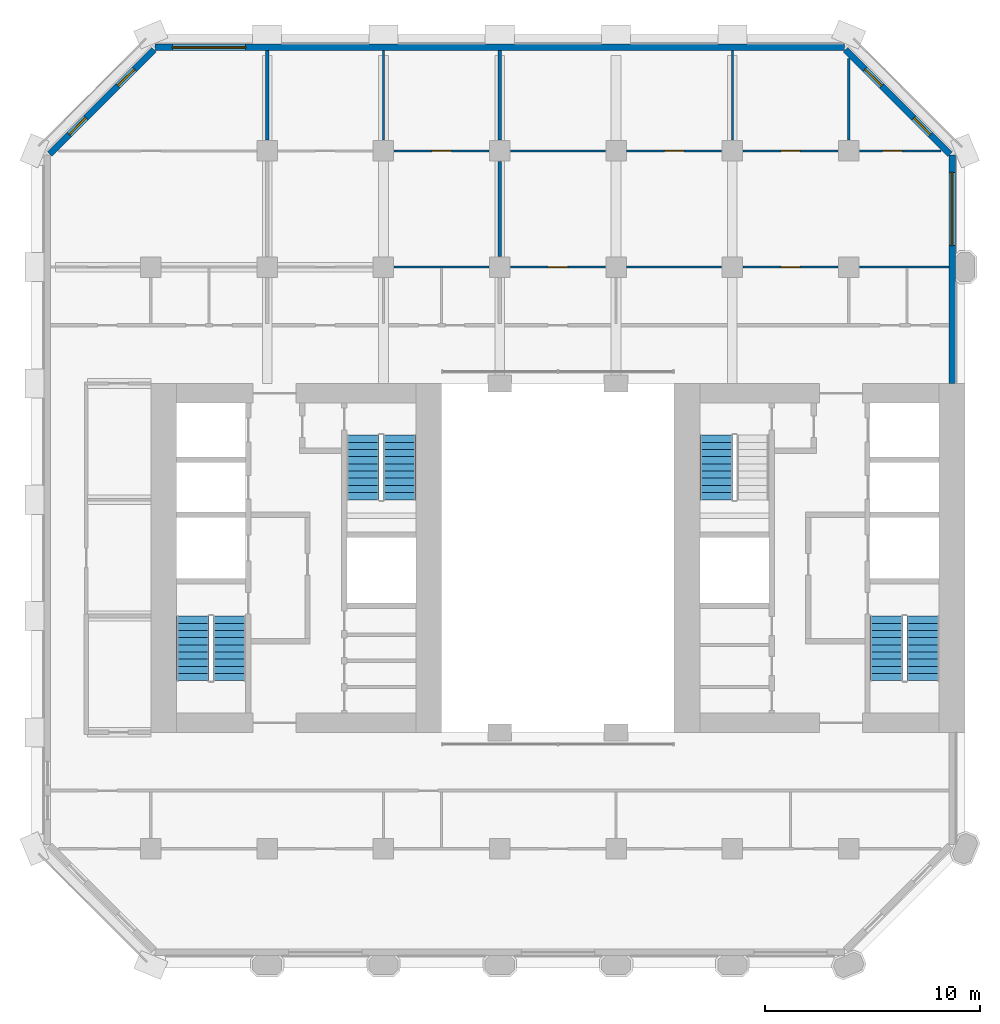
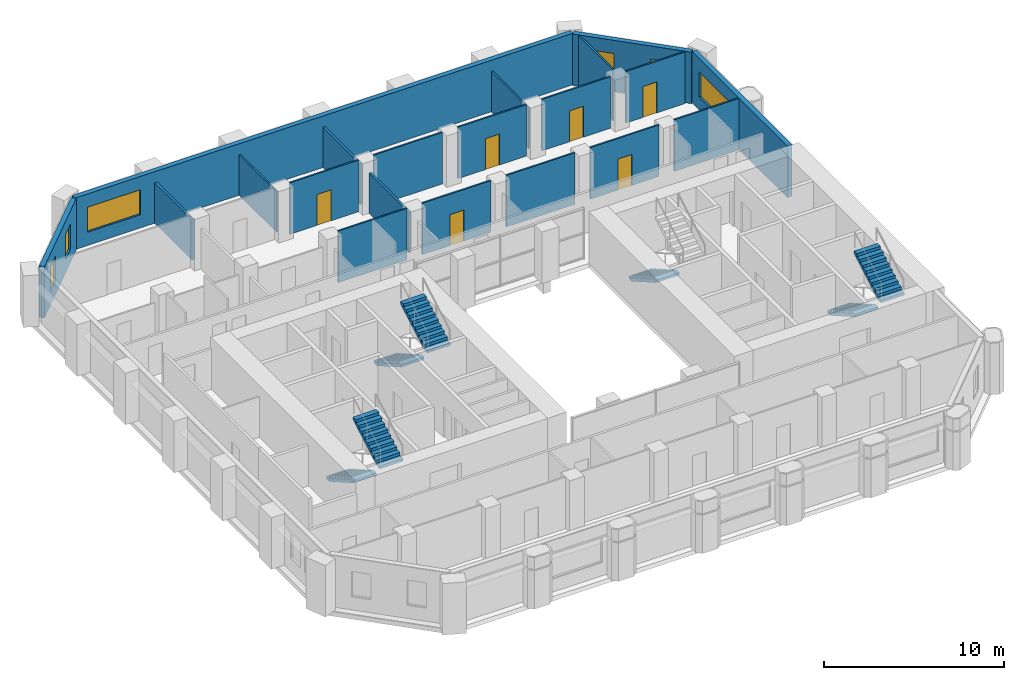
# One storey, part 9 of 12: 20 walls, 7 stair flights, 6 doors, 6 windows, 12 openings, 4 elements without a shape of their own.
"""IFC4 building model written with IfcOpenShell, lengths in metres."""

import ifcopenshell
import ifcopenshell.guid

model = None  # the IFC model being written
_history = None  # IfcOwnerHistory: only IFC2X3 demands one
_inside = {}  # id of a spatial element -> (the spatial element, [elements in it])
_under = {}  # id of a project, library or spatial element -> (it, [spatial elements below it])
_declared = {}  # id of a project -> (the project, [libraries it declares])
_typed = {}  # id of a type object -> (the type object, [elements of that type])
_made_of = {}  # id of a material, layer set ... -> (it, [elements and type objects made of it])


def new_model(schema):
    """Start an empty IFC model of exactly this schema.

    Asked for "IFC4X3", IfcOpenShell would pick the latest addendum, in which some entities
    have other attributes; the version numbers below select the first issue.
    IFC2X3 requires an IfcOwnerHistory on every rooted entity: one is made here for all.
    """
    global model, _history
    if schema == "IFC4X3":
        model = ifcopenshell.file(schema_version=(4, 3, 0, 0))
    else:
        model = ifcopenshell.file(schema=schema)
    _inside.clear()
    _under.clear()
    _declared.clear()
    _typed.clear()
    _made_of.clear()
    _history = None
    if model.schema == "IFC2X3":
        org = make("IfcOrganization", Name="unknown")
        user = make(
            "IfcPersonAndOrganization",
            ThePerson=make("IfcPerson", FamilyName="unknown"),
            TheOrganization=org,
        )
        app = make(
            "IfcApplication",
            ApplicationDeveloper=org,
            Version="unknown",
            ApplicationFullName="unknown",
            ApplicationIdentifier="unknown",
        )
        _history = make(
            "IfcOwnerHistory",
            OwningUser=user,
            OwningApplication=app,
            ChangeAction="ADDED",
            CreationDate=0,
        )
    return model


def make(cls, **values):
    """One entity of the class cls with the attributes given. An attribute that is None is left unset."""
    return model.create_entity(
        cls, **{name: value for name, value in values.items() if value is not None}
    )


def rooted(cls, **values):
    """An entity with a GlobalId (a new one), such as an element, a storey or a relation."""
    return make(cls, GlobalId=ifcopenshell.guid.new(), OwnerHistory=_history, **values)


def si_unit(unit_type, name, prefix=None):
    """IfcSIUnit, for example si_unit("LENGTHUNIT", "METRE", prefix="MILLI")."""
    return make("IfcSIUnit", UnitType=unit_type, Prefix=prefix, Name=name)


def assignment(units):
    """IfcUnitAssignment: the units of a project."""
    return None if units is None else make("IfcUnitAssignment", Units=units)


def point(xyz):
    """IfcCartesianPoint."""
    return None if xyz is None else make("IfcCartesianPoint", Coordinates=xyz)


def direction(xyz):
    """IfcDirection."""
    return None if xyz is None else make("IfcDirection", DirectionRatios=xyz)


def frame(location, z_axis=None, x_axis=None):
    """IfcAxis2Placement3D, a coordinate frame: its origin and axes. An axis left out is left unset."""
    return make(
        "IfcAxis2Placement3D",
        Location=point(location),
        Axis=direction(z_axis),
        RefDirection=direction(x_axis),
    )


def frame_2d(location, x_axis=None):
    """IfcAxis2Placement2D, a coordinate frame in the plane: its origin and x axis."""
    return make(
        "IfcAxis2Placement2D", Location=point(location), RefDirection=direction(x_axis)
    )


def origin():
    """The frame at (0, 0, 0) with its axes left unset."""
    return frame((0.0, 0.0, 0.0))


def place(relative_to, where):
    """IfcLocalPlacement: puts the frame where relative to a parent placement (None: the world)."""
    return make(
        "IfcLocalPlacement", PlacementRelTo=relative_to, RelativePlacement=where
    )


def context(
    kind, dimensions, precision=None, world=None, true_north=None, identifier=None
):
    """IfcGeometricRepresentationContext, for example the 3D "Model" context."""
    return make(
        "IfcGeometricRepresentationContext",
        ContextIdentifier=identifier,
        ContextType=kind,
        CoordinateSpaceDimension=dimensions,
        Precision=precision,
        WorldCoordinateSystem=world,
        TrueNorth=true_north,
    )


def subcontext(parent, identifier, kind, view, scale=None):
    """IfcGeometricRepresentationSubContext, for example "Body" below "Model"."""
    return make(
        "IfcGeometricRepresentationSubContext",
        ContextIdentifier=identifier,
        ContextType=kind,
        ParentContext=parent,
        TargetScale=scale,
        TargetView=view,
    )


def project(units=None, contexts=None):
    """IfcProject with its units and contexts."""
    return rooted(
        "IfcProject",
        Name="project",
        RepresentationContexts=contexts,
        UnitsInContext=assignment(units),
    )


def spatial(cls, under=None, at=None, **own):
    """A site, building, storey or space (cls), placed at a placement, below another one or the project."""
    s = rooted(cls, ObjectPlacement=at, **own)
    if under is not None:
        _under.setdefault(under.id(), (under, []))[1].append(s)
    return s


def polyline(points):
    """IfcPolyline through the points."""
    return make("IfcPolyline", Points=[point(p) for p in points])


def profile(cls, at=None, kind="AREA", **sizes):
    """A parametric profile (cls). Its sizes go by their IFC names, for example OverallWidth=200.0."""
    return make(cls, ProfileType=kind, Position=at, **sizes)


def rectangle(**sizes):
    """IfcRectangleProfileDef."""
    return profile("IfcRectangleProfileDef", **sizes)


def outline(outer, holes=None, kind="AREA"):
    """IfcArbitraryClosedProfileDef: a profile drawn as a closed curve; with holes, ...WithVoids."""
    if holes is None:
        return make("IfcArbitraryClosedProfileDef", ProfileType=kind, OuterCurve=outer)
    return make(
        "IfcArbitraryProfileDefWithVoids",
        ProfileType=kind,
        OuterCurve=outer,
        InnerCurves=holes,
    )


def extrude(swept, where, along, depth):
    """IfcExtrudedAreaSolid: the profile swept, set in the frame where, extruded along a direction by depth."""
    return make(
        "IfcExtrudedAreaSolid",
        SweptArea=swept,
        Position=where,
        ExtrudedDirection=direction(along),
        Depth=depth,
    )


def shape(context_of_items, identifier, shape_type, items):
    """IfcShapeRepresentation: the items that make up one representation, for example the "Body"."""
    return make(
        "IfcShapeRepresentation",
        ContextOfItems=context_of_items,
        RepresentationIdentifier=identifier,
        RepresentationType=shape_type,
        Items=items,
    )


def material(Name=None, Category=None):
    """IfcMaterial."""
    return make("IfcMaterial", Name=Name, Category=Category)


def layer(
    of_material, thickness, ventilated=None, Name=None, Category=None, Priority=None
):
    """IfcMaterialLayer: one layer of a wall or slab, of a material (None: an air gap)."""
    return make(
        "IfcMaterialLayer",
        Material=of_material,
        LayerThickness=thickness,
        IsVentilated=ventilated,
        Name=Name,
        Category=Category,
        Priority=Priority,
    )


def layer_set(layers, Name=None):
    """IfcMaterialLayerSet."""
    return make("IfcMaterialLayerSet", MaterialLayers=layers, LayerSetName=Name)


def made_of(thing, what):
    """Note that an element or type object is made of a material, layer set ...; save() writes the relation."""
    if what is not None:
        _made_of.setdefault(what.id(), (what, []))[1].append(thing)
    return thing


def type_object(cls, material=None, **own):
    """A type object (cls), such as IfcWallType, which elements share."""
    return made_of(rooted(cls, **own), material)


def element(
    cls,
    number,
    at=None,
    inside=None,
    cuts=None,
    type_object=None,
    material=None,
    context=None,
    identifier="Body",
    shape_type=None,
    held_by="IfcProductDefinitionShape",
    body=None,
    shapes=None,
    **own,
):
    """One element of the class cls, such as IfcWall. Its Tag is "e" and its number.

    at: its placement. inside: the storey or other place that contains it. cuts: it is an
    opening in that element (IfcRelVoidsElement). A single representation is given by context,
    identifier, shape_type and body (its items); several are given by shapes. held_by: the class
    of the entity that holds the representations. save() writes the other relations.
    """
    e = rooted(cls, Tag="e%d" % number, ObjectPlacement=at, **own)
    if body is not None:
        shapes = [shape(context, identifier, shape_type, body)]
    if shapes is not None:
        e.Representation = make(held_by, Representations=shapes)
    if inside is not None:
        _inside.setdefault(inside.id(), (inside, []))[1].append(e)
    if cuts is not None:
        rooted(
            "IfcRelVoidsElement", RelatingBuildingElement=cuts, RelatedOpeningElement=e
        )
    if type_object is not None:
        _typed.setdefault(type_object.id(), (type_object, []))[1].append(e)
    return made_of(e, material)


def fill(opening, filler):
    """IfcRelFillsElement: the door or window that sits in an opening."""
    return rooted(
        "IfcRelFillsElement",
        RelatingOpeningElement=opening,
        RelatedBuildingElement=filler,
    )


def aggregate(whole, parts):
    """IfcRelAggregates: a whole, such as a stair, and the parts it consists of."""
    return rooted("IfcRelAggregates", RelatingObject=whole, RelatedObjects=parts)


def save(model, path):
    """Write the relations noted so far, then the file.

    IfcRelAggregates (storeys below a building ...), IfcRelContainedInSpatialStructure (elements
    in a storey), IfcRelDefinesByType, IfcRelAssociatesMaterial and IfcRelDeclares: one each for
    every whole, place, type object, material and project.
    """
    for whole, parts in _under.values():
        aggregate(whole, parts)
    for where, things in _inside.values():
        rooted(
            "IfcRelContainedInSpatialStructure",
            RelatedElements=things,
            RelatingStructure=where,
        )
    for kind, things in _typed.values():
        rooted("IfcRelDefinesByType", RelatedObjects=things, RelatingType=kind)
    for what, things in _made_of.values():
        rooted("IfcRelAssociatesMaterial", RelatedObjects=things, RelatingMaterial=what)
    for by, libraries in _declared.values():
        rooted("IfcRelDeclares", RelatingContext=by, RelatedDefinitions=libraries)
    model.write(path)


model = new_model("IFC4")

# Units and contexts
model_context = context("Model", 3, precision=1e-05, world=origin(), true_north=direction((0.0, 1.0)))
body_context = subcontext(model_context, "Body", "Model", "MODEL_VIEW")
ifc_project = project(units=[si_unit("LENGTHUNIT", "METRE"), si_unit("AREAUNIT", "SQUARE_METRE"), si_unit("VOLUMEUNIT", "CUBIC_METRE"), si_unit("PLANEANGLEUNIT", "RADIAN"), si_unit("MASSUNIT", "GRAM", prefix="KILO")], contexts=[model_context])

# Site, building, storey
site_placement = place(None, origin())
site = spatial("IfcSite", under=ifc_project, at=site_placement, CompositionType="ELEMENT")
building_placement = place(site_placement, origin())
building = spatial("IfcBuilding", under=site, at=building_placement, Name="Tabaq Tower and Sports Hall", CompositionType="ELEMENT")
storey_placement = place(building_placement, frame((0.0, 0.0, 99.199951171875)))
storey = spatial("IfcBuildingStorey", under=building, at=storey_placement, Name="L23", CompositionType="ELEMENT", Elevation=99.199951171875)

# Wall
ifc_material_1 = material(Name="Gypsum board on steel studs", Category="steel")
ifc_layer_1 = layer(ifc_material_1, 0.10009765625)
ifc_layer_set_1 = layer_set([ifc_layer_1], Name="Partition 100 Gypsum board")
wall_type_1 = type_object("IfcWallType", Name="Partition 100 Gypsum board", PredefinedType="PARTITIONING", material=ifc_layer_set_1)
wall_1_placement = place(storey_placement, frame((21.10498046875, 37.800048828125, 0.0), z_axis=(0.0, 0.0, 1.0), x_axis=(-1.0, 0.0, 0.0)))
element("IfcWall", 1, at=wall_1_placement, inside=storey, type_object=wall_type_1, Name="Partition wall L23", PredefinedType="PARTITIONING", context=body_context, shape_type="SweptSolid", body=[
    extrude(rectangle(XDim=4.409912109375, YDim=0.10009765625, at=frame_2d((2.205078125, 0.0))), origin(), (0.0, 0.0, 1.0), 3.5),
])

# Wall, opening, door
wall_2_placement = place(storey_placement, frame((21.10498046875, 43.199951171875, 0.0), z_axis=(0.0, 0.0, 1.0), x_axis=(-1.0, 0.0, 0.0)))
wall_2 = element("IfcWall", 2, at=wall_2_placement, inside=storey, type_object=wall_type_1, Name="Partition wall L23", PredefinedType="PARTITIONING", context=body_context, shape_type="SweptSolid", body=[
    extrude(rectangle(XDim=4.409912109375, YDim=0.10009765625, at=frame_2d((2.205078125, 0.0))), origin(), (0.0, 0.0, 1.0), 3.5),
])
opening_1_placement = place(wall_2_placement, frame((1.7548828125, 0.0, 0.0)))
opening_1 = element("IfcOpeningElement", 3, at=opening_1_placement, cuts=wall_2, Name="Opening L23-013", PredefinedType="OPENING", context=body_context, shape_type="SweptSolid", body=[
    extrude(rectangle(XDim=0.89990234375, YDim=2.10009765625, at=frame_2d((0.449951171875, 1.050048828125))), frame((0.0, 0.050048828125, 0.0), z_axis=(0.0, -1.0, 0.0), x_axis=(1.0, 0.0, 0.0)), (0.0, 0.0, 1.0), 0.10009765625),
])
ifc_material_2 = material(Name="Timber leaf in steel frame", Category="steel")
door_type_1 = type_object("IfcDoorType", Name="Internal door 900 right hand", OperationType="SINGLE_SWING_RIGHT", PredefinedType="DOOR", material=ifc_material_2)
door_1_placement = place(opening_1_placement, origin())
door_1 = element("IfcDoor", 4, at=door_1_placement, inside=storey, type_object=door_type_1, Name="Internal door L23-013", OperationType="SINGLE_SWING_RIGHT", OverallHeight=2.10009765625, OverallWidth=0.89990234375, PredefinedType="DOOR", context=body_context, shape_type="SweptSolid", body=[
    extrude(rectangle(XDim=0.89990234375, YDim=2.10009765625, at=frame_2d((0.449951171875, 1.050048828125))), frame((0.0, 0.02490234375, 0.0), z_axis=(0.0, -1.0, 0.0), x_axis=(1.0, 0.0, 0.0)), (0.0, 0.0, 1.0), 0.050048828125),
])
fill(opening_1, door_1)

# Wall
wall_3_placement = place(storey_placement, frame((16.199951171875, 47.84912109375, 0.0), z_axis=(0.0, 0.0, 1.0), x_axis=(0.0, -1.0, 0.0)))
element("IfcWall", 5, at=wall_3_placement, inside=storey, type_object=wall_type_1, Name="Partition wall L23", PredefinedType="PARTITIONING", context=body_context, shape_type="SweptSolid", body=[
    extrude(rectangle(XDim=4.154052734375, YDim=0.10009765625, at=frame_2d((2.0771484375, 0.0))), origin(), (0.0, 0.0, 1.0), 2.75),
])

# Wall, opening, door
wall_4_placement = place(storey_placement, frame((26.5048828125, 37.800048828125, 0.0), z_axis=(0.0, 0.0, 1.0), x_axis=(-1.0, 0.0, 0.0)))
wall_4 = element("IfcWall", 6, at=wall_4_placement, inside=storey, type_object=wall_type_1, Name="Partition wall L23", PredefinedType="PARTITIONING", context=body_context, shape_type="SweptSolid", body=[
    extrude(rectangle(XDim=4.409912109375, YDim=0.10009765625, at=frame_2d((2.205078125, 0.0))), origin(), (0.0, 0.0, 1.0), 3.5),
])
opening_2_placement = place(wall_4_placement, frame((1.7548828125, 0.0, 0.0)))
opening_2 = element("IfcOpeningElement", 7, at=opening_2_placement, cuts=wall_4, Name="Opening L23-028", PredefinedType="OPENING", context=body_context, shape_type="SweptSolid", body=[
    extrude(rectangle(XDim=0.89990234375, YDim=2.10009765625, at=frame_2d((0.449951171875, 1.050048828125))), frame((0.0, 0.050048828125, 0.0), z_axis=(0.0, -1.0, 0.0), x_axis=(1.0, 0.0, 0.0)), (0.0, 0.0, 1.0), 0.10009765625),
])
door_2_placement = place(opening_2_placement, origin())
door_2 = element("IfcDoor", 8, at=door_2_placement, inside=storey, type_object=door_type_1, Name="Internal door L23-028", OperationType="SINGLE_SWING_RIGHT", OverallHeight=2.10009765625, OverallWidth=0.89990234375, PredefinedType="DOOR", context=body_context, shape_type="SweptSolid", body=[
    extrude(rectangle(XDim=0.89990234375, YDim=2.10009765625, at=frame_2d((0.449951171875, 1.050048828125))), frame((0.0, 0.02490234375, 0.0), z_axis=(0.0, -1.0, 0.0), x_axis=(1.0, 0.0, 0.0)), (0.0, 0.0, 1.0), 0.050048828125),
])
fill(opening_2, door_2)

wall_5_placement = place(storey_placement, frame((37.304931640625, 37.800048828125, 0.0), z_axis=(0.0, 0.0, 1.0), x_axis=(-1.0, 0.0, 0.0)))
wall_5 = element("IfcWall", 9, at=wall_5_placement, inside=storey, type_object=wall_type_1, Name="Partition wall L23", PredefinedType="PARTITIONING", context=body_context, shape_type="SweptSolid", body=[
    extrude(rectangle(XDim=4.409912109375, YDim=0.10009765625, at=frame_2d((2.205078125, 0.0))), origin(), (0.0, 0.0, 1.0), 3.5),
])
opening_3_placement = place(wall_5_placement, frame((1.7548828125, 0.0, 0.0)))
opening_3 = element("IfcOpeningElement", 10, at=opening_3_placement, cuts=wall_5, Name="Opening L23-014", PredefinedType="OPENING", context=body_context, shape_type="SweptSolid", body=[
    extrude(rectangle(XDim=0.89990234375, YDim=2.10009765625, at=frame_2d((0.449951171875, 1.050048828125))), frame((0.0, 0.050048828125, 0.0), z_axis=(0.0, -1.0, 0.0), x_axis=(1.0, 0.0, 0.0)), (0.0, 0.0, 1.0), 0.10009765625),
])
ifc_material_3 = material(Name="Timber leaf in steel frame", Category="steel")
door_type_2 = type_object("IfcDoorType", Name="Internal door 900 left hand", OperationType="SINGLE_SWING_LEFT", PredefinedType="DOOR", material=ifc_material_3)
door_3_placement = place(opening_3_placement, origin())
door_3 = element("IfcDoor", 11, at=door_3_placement, inside=storey, type_object=door_type_2, Name="Internal door L23-014", OperationType="SINGLE_SWING_LEFT", OverallHeight=2.10009765625, OverallWidth=0.89990234375, PredefinedType="DOOR", context=body_context, shape_type="SweptSolid", body=[
    extrude(rectangle(XDim=0.89990234375, YDim=2.10009765625, at=frame_2d((0.449951171875, 1.050048828125))), frame((0.0, 0.02490234375, 0.0), z_axis=(0.0, -1.0, 0.0), x_axis=(1.0, 0.0, 0.0)), (0.0, 0.0, 1.0), 0.050048828125),
])
fill(opening_3, door_3)

# Walls
wall_6_placement = place(storey_placement, frame((31.905029296875, 37.800048828125, 0.0), z_axis=(0.0, 0.0, 1.0), x_axis=(-1.0, 0.0, 0.0)))
element("IfcWall", 12, at=wall_6_placement, inside=storey, type_object=wall_type_1, Name="Partition wall L23", PredefinedType="PARTITIONING", context=body_context, shape_type="SweptSolid", body=[
    extrude(rectangle(XDim=4.409912109375, YDim=0.10009765625, at=frame_2d((2.205078125, 0.0))), origin(), (0.0, 0.0, 1.0), 3.5),
])
wall_7_placement = place(storey_placement, frame((42.448974609375, 37.800048828125, 0.0), z_axis=(0.0, 0.0, 1.0), x_axis=(-1.0, 0.0, 0.0)))
element("IfcWall", 13, at=wall_7_placement, inside=storey, type_object=wall_type_1, Name="Partition wall L23", PredefinedType="PARTITIONING", context=body_context, shape_type="SweptSolid", body=[
    extrude(rectangle(XDim=4.154052734375, YDim=0.10009765625, at=frame_2d((2.0771484375, 0.0))), origin(), (0.0, 0.0, 1.0), 3.5),
])

# Wall, opening, door
wall_8_placement = place(storey_placement, frame((42.087890625, 43.199951171875, 0.0), z_axis=(0.0, 0.0, 1.0), x_axis=(-1.0, 0.0, 0.0)))
wall_8 = element("IfcWall", 14, at=wall_8_placement, inside=storey, type_object=wall_type_1, Name="Partition wall L23", PredefinedType="PARTITIONING", context=body_context, shape_type="SweptSolid", body=[
    extrude(rectangle(XDim=3.79296875, YDim=0.10009765625, at=frame_2d((1.896484375, 0.0))), origin(), (0.0, 0.0, 1.0), 3.5),
])
opening_4_placement = place(wall_8_placement, frame((1.81298828125, 0.0, 0.0)))
opening_4 = element("IfcOpeningElement", 15, at=opening_4_placement, cuts=wall_8, Name="Opening L23-017", PredefinedType="OPENING", context=body_context, shape_type="SweptSolid", body=[
    extrude(rectangle(XDim=0.89990234375, YDim=2.10009765625, at=frame_2d((0.449951171875, 1.050048828125))), frame((0.0, 0.050048828125, 0.0), z_axis=(0.0, -1.0, 0.0), x_axis=(1.0, 0.0, 0.0)), (0.0, 0.0, 1.0), 0.10009765625),
])
door_4_placement = place(opening_4_placement, origin())
door_4 = element("IfcDoor", 16, at=door_4_placement, inside=storey, type_object=door_type_2, Name="Internal door L23-017", OperationType="SINGLE_SWING_LEFT", OverallHeight=2.10009765625, OverallWidth=0.89990234375, PredefinedType="DOOR", context=body_context, shape_type="SweptSolid", body=[
    extrude(rectangle(XDim=0.89990234375, YDim=2.10009765625, at=frame_2d((0.449951171875, 1.050048828125))), frame((0.0, 0.02490234375, 0.0), z_axis=(0.0, -1.0, 0.0), x_axis=(1.0, 0.0, 0.0)), (0.0, 0.0, 1.0), 0.050048828125),
])
fill(opening_4, door_4)

wall_9_placement = place(storey_placement, frame((37.304931640625, 43.199951171875, 0.0), z_axis=(0.0, 0.0, 1.0), x_axis=(-1.0, 0.0, 0.0)))
wall_9 = element("IfcWall", 17, at=wall_9_placement, inside=storey, type_object=wall_type_1, Name="Partition wall L23", PredefinedType="PARTITIONING", context=body_context, shape_type="SweptSolid", body=[
    extrude(rectangle(XDim=4.409912109375, YDim=0.10009765625, at=frame_2d((2.205078125, 0.0))), origin(), (0.0, 0.0, 1.0), 3.5),
])
opening_5_placement = place(wall_9_placement, frame((1.7548828125, 0.0, 0.0)))
opening_5 = element("IfcOpeningElement", 18, at=opening_5_placement, cuts=wall_9, Name="Opening L23-016", PredefinedType="OPENING", context=body_context, shape_type="SweptSolid", body=[
    extrude(rectangle(XDim=0.89990234375, YDim=2.10009765625, at=frame_2d((0.449951171875, 1.050048828125))), frame((0.0, 0.050048828125, 0.0), z_axis=(0.0, -1.0, 0.0), x_axis=(1.0, 0.0, 0.0)), (0.0, 0.0, 1.0), 0.10009765625),
])
door_5_placement = place(opening_5_placement, origin())
door_5 = element("IfcDoor", 19, at=door_5_placement, inside=storey, type_object=door_type_2, Name="Internal door L23-016", OperationType="SINGLE_SWING_LEFT", OverallHeight=2.10009765625, OverallWidth=0.89990234375, PredefinedType="DOOR", context=body_context, shape_type="SweptSolid", body=[
    extrude(rectangle(XDim=0.89990234375, YDim=2.10009765625, at=frame_2d((0.449951171875, 1.050048828125))), frame((0.0, 0.02490234375, 0.0), z_axis=(0.0, -1.0, 0.0), x_axis=(1.0, 0.0, 0.0)), (0.0, 0.0, 1.0), 0.050048828125),
])
fill(opening_5, door_5)

wall_10_placement = place(storey_placement, frame((31.905029296875, 43.199951171875, 0.0), z_axis=(0.0, 0.0, 1.0), x_axis=(-1.0, 0.0, 0.0)))
wall_10 = element("IfcWall", 20, at=wall_10_placement, inside=storey, type_object=wall_type_1, Name="Partition wall L23", PredefinedType="PARTITIONING", context=body_context, shape_type="SweptSolid", body=[
    extrude(rectangle(XDim=4.409912109375, YDim=0.10009765625, at=frame_2d((2.205078125, 0.0))), origin(), (0.0, 0.0, 1.0), 3.5),
])
opening_6_placement = place(wall_10_placement, frame((1.7548828125, 0.0, 0.0)))
opening_6 = element("IfcOpeningElement", 21, at=opening_6_placement, cuts=wall_10, Name="Opening L23-015", PredefinedType="OPENING", context=body_context, shape_type="SweptSolid", body=[
    extrude(rectangle(XDim=0.89990234375, YDim=2.10009765625, at=frame_2d((0.449951171875, 1.050048828125))), frame((0.0, 0.050048828125, 0.0), z_axis=(0.0, -1.0, 0.0), x_axis=(1.0, 0.0, 0.0)), (0.0, 0.0, 1.0), 0.10009765625),
])
door_6_placement = place(opening_6_placement, origin())
door_6 = element("IfcDoor", 22, at=door_6_placement, inside=storey, type_object=door_type_2, Name="Internal door L23-015", OperationType="SINGLE_SWING_LEFT", OverallHeight=2.10009765625, OverallWidth=0.89990234375, PredefinedType="DOOR", context=body_context, shape_type="SweptSolid", body=[
    extrude(rectangle(XDim=0.89990234375, YDim=2.10009765625, at=frame_2d((0.449951171875, 1.050048828125))), frame((0.0, 0.02490234375, 0.0), z_axis=(0.0, -1.0, 0.0), x_axis=(1.0, 0.0, 0.0)), (0.0, 0.0, 1.0), 0.050048828125),
])
fill(opening_6, door_6)

# Walls
wall_11_placement = place(storey_placement, frame((26.5048828125, 43.199951171875, 0.0), z_axis=(0.0, 0.0, 1.0), x_axis=(-1.0, 0.0, 0.0)))
element("IfcWall", 23, at=wall_11_placement, inside=storey, type_object=wall_type_1, Name="Partition wall L23", PredefinedType="PARTITIONING", context=body_context, shape_type="SweptSolid", body=[
    extrude(rectangle(XDim=4.409912109375, YDim=0.10009765625, at=frame_2d((2.205078125, 0.0))), origin(), (0.0, 0.0, 1.0), 3.5),
])
wall_12_placement = place(storey_placement, frame((32.39990234375, 47.84912109375, 0.0), z_axis=(0.0, 0.0, 1.0), x_axis=(0.0, -1.0, 0.0)))
element("IfcWall", 24, at=wall_12_placement, inside=storey, type_object=wall_type_1, Name="Partition wall L23", PredefinedType="PARTITIONING", context=body_context, shape_type="SweptSolid", body=[
    extrude(rectangle(XDim=4.154052734375, YDim=0.10009765625, at=frame_2d((2.0771484375, 0.0))), origin(), (0.0, 0.0, 1.0), 2.75),
])
wall_13_placement = place(storey_placement, frame((37.800048828125, 43.695068359375, 0.0), z_axis=(0.0, 0.0, 1.0), x_axis=(0.0, 1.0, 0.0)))
element("IfcWall", 25, at=wall_13_placement, inside=storey, type_object=wall_type_1, Name="Partition wall L23", PredefinedType="PARTITIONING", context=body_context, shape_type="SweptSolid", body=[
    extrude(rectangle(XDim=3.792724609375, YDim=0.10009765625, at=frame_2d((1.896484375, 0.0))), origin(), (0.0, 0.0, 1.0), 3.5),
])
ifc_material_4 = material(Name="Blockwork", Category="masonry")
ifc_layer_2 = layer(ifc_material_4, 0.14990234375)
ifc_layer_set_2 = layer_set([ifc_layer_2], Name="Separating wall 150 Blockwork")
wall_type_2 = type_object("IfcWallType", Name="Separating wall 150 Blockwork", PredefinedType="PARTITIONING", material=ifc_layer_set_2)
wall_14_placement = place(storey_placement, frame((10.800048828125, 43.695068359375, 0.0), z_axis=(0.0, 0.0, 1.0), x_axis=(0.0, 1.0, 0.0)))
element("IfcWall", 26, at=wall_14_placement, inside=storey, type_object=wall_type_2, Name="Separating wall L23", PredefinedType="PARTITIONING", context=body_context, shape_type="SweptSolid", body=[
    extrude(rectangle(XDim=4.154052734375, YDim=0.14990234375, at=frame_2d((2.0771484375, 0.0))), origin(), (0.0, 0.0, 1.0), 2.75),
])
wall_15_placement = place(storey_placement, frame((21.60009765625, 38.294921875, 0.0), z_axis=(0.0, 0.0, 1.0), x_axis=(0.0, 1.0, 0.0)))
element("IfcWall", 27, at=wall_15_placement, inside=storey, type_object=wall_type_2, Name="Separating wall L23", PredefinedType="PARTITIONING", context=body_context, shape_type="SweptSolid", body=[
    extrude(rectangle(XDim=4.41015625, YDim=0.14990234375, at=frame_2d((2.205078125, 0.0))), origin(), (0.0, 0.0, 1.0), 2.75),
])
wall_16_placement = place(storey_placement, frame((21.60009765625, 47.84912109375, 0.0), z_axis=(0.0, 0.0, 1.0), x_axis=(0.0, -1.0, 0.0)))
element("IfcWall", 28, at=wall_16_placement, inside=storey, type_object=wall_type_2, Name="Separating wall L23", PredefinedType="PARTITIONING", context=body_context, shape_type="SweptSolid", body=[
    extrude(rectangle(XDim=4.154052734375, YDim=0.14990234375, at=frame_2d((2.0771484375, 0.0))), origin(), (0.0, 0.0, 1.0), 2.75),
])

# Wall, opening, window
ifc_material_5 = material(Name="White precast concrete C60/75", Category="concrete")
ifc_layer_3 = layer(ifc_material_5, 0.300048828125)
ifc_layer_set_3 = layer_set([ifc_layer_3], Name="White precast concrete C60/75 external wall 300")
wall_type_3 = type_object("IfcWallType", Name="White precast concrete C60/75 external wall 300", PredefinedType="SOLIDWALL", material=ifc_layer_set_3)
wall_17_placement = place(storey_placement, frame((42.60009765625, 32.39990234375, 0.0), z_axis=(0.0, 0.0, 1.0), x_axis=(0.0, 1.0, 0.0)))
wall_17 = element("IfcWall", 29, at=wall_17_placement, inside=storey, type_object=wall_type_3, Name="External Wall L23 E", PredefinedType="SOLIDWALL", context=body_context, shape_type="SweptSolid", body=[
    extrude(rectangle(XDim=10.61376953125, YDim=0.300048828125, at=frame_2d((5.306884765625, 0.0))), origin(), (0.0, 0.0, 1.0), 3.5),
])
opening_7_placement = place(wall_17_placement, frame((6.39990234375, 0.0, 0.89990234375)))
opening_7 = element("IfcOpeningElement", 30, at=opening_7_placement, cuts=wall_17, Name="Opening W1A", PredefinedType="OPENING", context=body_context, shape_type="SweptSolid", body=[
    extrude(rectangle(XDim=3.39990234375, YDim=1.699951171875, at=frame_2d((1.699951171875, 0.85009765625))), frame((0.0, 0.16015625, 0.0), z_axis=(0.0, -1.0, 0.0), x_axis=(1.0, 0.0, 0.0)), (0.0, 0.0, 1.0), 0.320068359375),
])
ifc_material_6 = material(Name="Aluminium framed clear glazing", Category="aluminium")
window_type_1 = type_object("IfcWindowType", Name="Window W1A", PartitioningType="SINGLE_PANEL", PredefinedType="WINDOW", material=ifc_material_6)
window_1_placement = place(opening_7_placement, origin())
window_1 = element("IfcWindow", 31, at=window_1_placement, inside=storey, type_object=window_type_1, Name="Window W1A L23", OverallHeight=1.699951171875, OverallWidth=3.39990234375, PartitioningType="SINGLE_PANEL", PredefinedType="WINDOW", context=body_context, shape_type="SweptSolid", body=[
    extrude(rectangle(XDim=3.39990234375, YDim=1.699951171875, at=frame_2d((1.699951171875, 0.85009765625))), frame((0.0, 0.030029296875, 0.0), z_axis=(0.0, -1.0, 0.0), x_axis=(1.0, 0.0, 0.0)), (0.0, 0.0, 1.0), 0.06005859375),
])
fill(opening_7, window_1)

# Wall, openings, windows
wall_18_placement = place(storey_placement, frame((42.5009765625, 43.050537109375, 0.0), z_axis=(0.0, 0.0, 1.0), x_axis=(-0.707106781187, 0.707106781187, 0.0)))
wall_18 = element("IfcWall", 32, at=wall_18_placement, inside=storey, type_object=wall_type_3, Name="External Wall L23 NE", PredefinedType="SOLIDWALL", context=body_context, shape_type="SweptSolid", body=[
    extrude(rectangle(XDim=6.85986328125, YDim=0.300048828125, at=frame_2d((3.429931640625, 0.0))), origin(), (0.0, 0.0, 1.0), 3.5),
])
opening_8_placement = place(wall_18_placement, frame((1.27978515625, 0.0, 0.89990234375)))
opening_8 = element("IfcOpeningElement", 33, at=opening_8_placement, cuts=wall_18, Name="Opening W1B", PredefinedType="OPENING", context=body_context, shape_type="SweptSolid", body=[
    extrude(rectangle(XDim=1.10009765625, YDim=1.699951171875, at=frame_2d((0.550048828125, 0.85009765625))), frame((0.0, 0.16015625, 0.0), z_axis=(0.0, -1.0, 0.0), x_axis=(1.0, 0.0, 0.0)), (0.0, 0.0, 1.0), 0.320068359375),
])
opening_9_placement = place(wall_18_placement, frame((4.479736328125, 0.0, 0.89990234375)))
opening_9 = element("IfcOpeningElement", 34, at=opening_9_placement, cuts=wall_18, Name="Opening W1B", PredefinedType="OPENING", context=body_context, shape_type="SweptSolid", body=[
    extrude(rectangle(XDim=1.10009765625, YDim=1.699951171875, at=frame_2d((0.550048828125, 0.85009765625))), frame((0.0, 0.16015625, 0.0), z_axis=(0.0, -1.0, 0.0), x_axis=(1.0, 0.0, 0.0)), (0.0, 0.0, 1.0), 0.320068359375),
])
ifc_material_7 = material(Name="Aluminium framed clear glazing", Category="aluminium")
window_type_2 = type_object("IfcWindowType", Name="Window W1B", PartitioningType="SINGLE_PANEL", PredefinedType="WINDOW", material=ifc_material_7)
window_2_placement = place(opening_8_placement, origin())
window_2 = element("IfcWindow", 35, at=window_2_placement, inside=storey, type_object=window_type_2, Name="Window W1B L23", OverallHeight=1.699951171875, OverallWidth=1.10009765625, PartitioningType="SINGLE_PANEL", PredefinedType="WINDOW", context=body_context, shape_type="SweptSolid", body=[
    extrude(rectangle(XDim=1.10009765625, YDim=1.699951171875, at=frame_2d((0.550048828125, 0.85009765625))), frame((0.0, 0.030029296875, 0.0), z_axis=(0.0, -1.0, 0.0), x_axis=(1.0, 0.0, 0.0)), (0.0, 0.0, 1.0), 0.06005859375),
])
fill(opening_8, window_2)
window_3_placement = place(opening_9_placement, origin())
window_3 = element("IfcWindow", 36, at=window_3_placement, inside=storey, type_object=window_type_2, Name="Window W1B L23", OverallHeight=1.699951171875, OverallWidth=1.10009765625, PartitioningType="SINGLE_PANEL", PredefinedType="WINDOW", context=body_context, shape_type="SweptSolid", body=[
    extrude(rectangle(XDim=1.10009765625, YDim=1.699951171875, at=frame_2d((0.550048828125, 0.85009765625))), frame((0.0, 0.030029296875, 0.0), z_axis=(0.0, -1.0, 0.0), x_axis=(1.0, 0.0, 0.0)), (0.0, 0.0, 1.0), 0.06005859375),
])
fill(opening_9, window_3)

# Wall, opening, window
wall_19_placement = place(storey_placement, frame((37.613525390625, 48.0, 0.0), z_axis=(0.0, 0.0, 1.0), x_axis=(-1.0, 0.0, 0.0)))
wall_19 = element("IfcWall", 37, at=wall_19_placement, inside=storey, type_object=wall_type_3, Name="External Wall L23 N", PredefinedType="SOLIDWALL", context=body_context, shape_type="SweptSolid", body=[
    extrude(rectangle(XDim=32.027099609375, YDim=0.300048828125, at=frame_2d((16.013671875, 0.0))), origin(), (0.0, 0.0, 1.0), 3.5),
])
opening_10_placement = place(wall_19_placement, frame((27.813720703125, 0.0, 0.89990234375)))
opening_10 = element("IfcOpeningElement", 38, at=opening_10_placement, cuts=wall_19, Name="Opening W1A", PredefinedType="OPENING", context=body_context, shape_type="SweptSolid", body=[
    extrude(rectangle(XDim=3.39990234375, YDim=1.699951171875, at=frame_2d((1.699951171875, 0.85009765625))), frame((0.0, 0.16015625, 0.0), z_axis=(0.0, -1.0, 0.0), x_axis=(1.0, 0.0, 0.0)), (0.0, 0.0, 1.0), 0.320068359375),
])
window_4_placement = place(opening_10_placement, origin())
window_4 = element("IfcWindow", 39, at=window_4_placement, inside=storey, type_object=window_type_1, Name="Window W1A L23", OverallHeight=1.699951171875, OverallWidth=3.39990234375, PartitioningType="SINGLE_PANEL", PredefinedType="WINDOW", context=body_context, shape_type="SweptSolid", body=[
    extrude(rectangle(XDim=3.39990234375, YDim=1.699951171875, at=frame_2d((1.699951171875, 0.85009765625))), frame((0.0, 0.030029296875, 0.0), z_axis=(0.0, -1.0, 0.0), x_axis=(1.0, 0.0, 0.0)), (0.0, 0.0, 1.0), 0.06005859375),
])
fill(opening_10, window_4)

# Wall, openings, windows
wall_20_placement = place(storey_placement, frame((5.549560546875, 47.901123046875, 0.0), z_axis=(0.0, 0.0, 1.0), x_axis=(-0.707106781187, -0.707106781187, 0.0)))
wall_20 = element("IfcWall", 40, at=wall_20_placement, inside=storey, type_object=wall_type_3, Name="External Wall L23 NW", PredefinedType="SOLIDWALL", context=body_context, shape_type="SweptSolid", body=[
    extrude(rectangle(XDim=6.85986328125, YDim=0.300048828125, at=frame_2d((3.429931640625, 0.0))), origin(), (0.0, 0.0, 1.0), 3.5),
])
opening_11_placement = place(wall_20_placement, frame((1.27978515625, 0.0, 0.89990234375)))
opening_11 = element("IfcOpeningElement", 41, at=opening_11_placement, cuts=wall_20, Name="Opening W1B", PredefinedType="OPENING", context=body_context, shape_type="SweptSolid", body=[
    extrude(rectangle(XDim=1.10009765625, YDim=1.699951171875, at=frame_2d((0.550048828125, 0.85009765625))), frame((0.0, 0.16015625, 0.0), z_axis=(0.0, -1.0, 0.0), x_axis=(1.0, 0.0, 0.0)), (0.0, 0.0, 1.0), 0.320068359375),
])
opening_12_placement = place(wall_20_placement, frame((4.479736328125, 0.0, 0.89990234375)))
opening_12 = element("IfcOpeningElement", 42, at=opening_12_placement, cuts=wall_20, Name="Opening W1B", PredefinedType="OPENING", context=body_context, shape_type="SweptSolid", body=[
    extrude(rectangle(XDim=1.10009765625, YDim=1.699951171875, at=frame_2d((0.550048828125, 0.85009765625))), frame((0.0, 0.16015625, 0.0), z_axis=(0.0, -1.0, 0.0), x_axis=(1.0, 0.0, 0.0)), (0.0, 0.0, 1.0), 0.320068359375),
])
window_5_placement = place(opening_11_placement, origin())
window_5 = element("IfcWindow", 43, at=window_5_placement, inside=storey, type_object=window_type_2, Name="Window W1B L23", OverallHeight=1.699951171875, OverallWidth=1.10009765625, PartitioningType="SINGLE_PANEL", PredefinedType="WINDOW", context=body_context, shape_type="SweptSolid", body=[
    extrude(rectangle(XDim=1.10009765625, YDim=1.699951171875, at=frame_2d((0.550048828125, 0.85009765625))), frame((0.0, 0.030029296875, 0.0), z_axis=(0.0, -1.0, 0.0), x_axis=(1.0, 0.0, 0.0)), (0.0, 0.0, 1.0), 0.06005859375),
])
fill(opening_11, window_5)
window_6_placement = place(opening_12_placement, origin())
window_6 = element("IfcWindow", 44, at=window_6_placement, inside=storey, type_object=window_type_2, Name="Window W1B L23", OverallHeight=1.699951171875, OverallWidth=1.10009765625, PartitioningType="SINGLE_PANEL", PredefinedType="WINDOW", context=body_context, shape_type="SweptSolid", body=[
    extrude(rectangle(XDim=1.10009765625, YDim=1.699951171875, at=frame_2d((0.550048828125, 0.85009765625))), frame((0.0, 0.030029296875, 0.0), z_axis=(0.0, -1.0, 0.0), x_axis=(1.0, 0.0, 0.0)), (0.0, 0.0, 1.0), 0.06005859375),
])
fill(opening_12, window_6)

# Stair, stair flights
ifc_material_8 = material(Name="Concrete C40/50", Category="concrete")
stair_type = type_object("IfcStairType", Name="Exit stair", PredefinedType="HALF_TURN_STAIR", material=ifc_material_8)
stair_1_placement = place(storey_placement, origin())
stair_1 = element("IfcStair", 45, at=stair_1_placement, inside=storey, type_object=stair_type, Name="L23 Exit stair ST1", PredefinedType="HALF_TURN_STAIR")
ifc_material_9 = material(Name="Concrete C40/50", Category="concrete")
stair_flight_type = type_object("IfcStairFlightType", Name="Exit stair flight", PredefinedType="STRAIGHT", material=ifc_material_9)
stair_flight_1_placement = place(storey_placement, frame((7.35009765625, 21.60009765625, 0.0), z_axis=(0.0, 0.0, 1.0), x_axis=(0.0, -1.0, 0.0)))
stair_flight_1 = element("IfcStairFlight", 46, at=stair_flight_1_placement, type_object=stair_flight_type, Name="ST1 flight 1", NumberOfRisers=10, NumberOfTreads=9, PredefinedType="STRAIGHT", RiserHeight=0.19, TreadLength=0.333333333, context=body_context, shape_type="SweptSolid", body=[
    extrude(outline(polyline([(0.0, 0.0), (0.0, 0.18994140625), (0.333251953125, 0.18994140625), (0.333251953125, 0.3798828125), (0.666748046875, 0.3798828125), (0.666748046875, 0.570068359375), (1.0, 0.570068359375), (1.0, 0.760009765625), (1.333251953125, 0.760009765625), (1.333251953125, 0.949951171875), (1.666748046875, 0.949951171875), (1.666748046875, 1.139892578125), (2.0, 1.139892578125), (2.0, 1.330078125), (2.333251953125, 1.330078125), (2.333251953125, 1.52001953125), (2.666748046875, 1.52001953125), (2.666748046875, 1.7099609375), (3.0, 1.7099609375), (3.0, 1.89990234375), (3.0, 1.537353515625), (0.302734375, 0.0), (0.0, 0.0)])), frame((0.0, 0.75, 0.0), z_axis=(0.0, -1.0, 0.0), x_axis=(1.0, 0.0, 0.0)), (0.0, 0.0, 1.0), 1.5),
])
stair_flight_2_placement = place(storey_placement, frame((9.050048828125, 18.60009765625, 1.900146484375), z_axis=(0.0, 0.0, 1.0), x_axis=(0.0, 1.0, 0.0)))
stair_flight_2 = element("IfcStairFlight", 47, at=stair_flight_2_placement, type_object=stair_flight_type, Name="ST1 flight 2", NumberOfRisers=10, NumberOfTreads=9, PredefinedType="STRAIGHT", RiserHeight=0.19, TreadLength=0.333333333, context=body_context, shape_type="SweptSolid", body=[
    extrude(outline(polyline([(0.0, 0.0), (0.0, 0.18994140625), (0.333251953125, 0.18994140625), (0.333251953125, 0.3798828125), (0.666748046875, 0.3798828125), (0.666748046875, 0.570068359375), (1.0, 0.570068359375), (1.0, 0.760009765625), (1.333251953125, 0.760009765625), (1.333251953125, 0.949951171875), (1.666748046875, 0.949951171875), (1.666748046875, 1.139892578125), (2.0, 1.139892578125), (2.0, 1.330078125), (2.333251953125, 1.330078125), (2.333251953125, 1.52001953125), (2.666748046875, 1.52001953125), (2.666748046875, 1.7099609375), (3.0, 1.7099609375), (3.0, 1.89990234375), (3.0, 1.537353515625), (0.302734375, 0.0), (0.0, 0.0)])), frame((0.0, 0.75, 0.0), z_axis=(0.0, -1.0, 0.0), x_axis=(1.0, 0.0, 0.0)), (0.0, 0.0, 1.0), 1.5),
])
aggregate(stair_1, [stair_flight_1, stair_flight_2])

stair_2_placement = place(storey_placement, origin())
stair_2 = element("IfcStair", 48, at=stair_2_placement, inside=storey, type_object=stair_type, Name="L23 Exit stair ST2", PredefinedType="HALF_TURN_STAIR")
stair_flight_3_placement = place(storey_placement, frame((15.25, 30.0, 0.0), z_axis=(0.0, 0.0, 1.0), x_axis=(0.0, -1.0, 0.0)))
stair_flight_3 = element("IfcStairFlight", 49, at=stair_flight_3_placement, type_object=stair_flight_type, Name="ST2 flight 1", NumberOfRisers=10, NumberOfTreads=9, PredefinedType="STRAIGHT", RiserHeight=0.19, TreadLength=0.333333333, context=body_context, shape_type="SweptSolid", body=[
    extrude(outline(polyline([(0.0, 0.0), (0.0, 0.18994140625), (0.333251953125, 0.18994140625), (0.333251953125, 0.3798828125), (0.666748046875, 0.3798828125), (0.666748046875, 0.570068359375), (1.0, 0.570068359375), (1.0, 0.760009765625), (1.333251953125, 0.760009765625), (1.333251953125, 0.949951171875), (1.666748046875, 0.949951171875), (1.666748046875, 1.139892578125), (2.0, 1.139892578125), (2.0, 1.330078125), (2.333251953125, 1.330078125), (2.333251953125, 1.52001953125), (2.666748046875, 1.52001953125), (2.666748046875, 1.7099609375), (3.0, 1.7099609375), (3.0, 1.89990234375), (3.0, 1.537353515625), (0.302734375, 0.0), (0.0, 0.0)])), frame((0.0, 0.75, 0.0), z_axis=(0.0, -1.0, 0.0), x_axis=(1.0, 0.0, 0.0)), (0.0, 0.0, 1.0), 1.5),
])
stair_flight_4_placement = place(storey_placement, frame((16.949951171875, 27.0, 1.900146484375), z_axis=(0.0, 0.0, 1.0), x_axis=(0.0, 1.0, 0.0)))
stair_flight_4 = element("IfcStairFlight", 50, at=stair_flight_4_placement, type_object=stair_flight_type, Name="ST2 flight 2", NumberOfRisers=10, NumberOfTreads=9, PredefinedType="STRAIGHT", RiserHeight=0.19, TreadLength=0.333333333, context=body_context, shape_type="SweptSolid", body=[
    extrude(outline(polyline([(0.0, 0.0), (0.0, 0.18994140625), (0.333251953125, 0.18994140625), (0.333251953125, 0.3798828125), (0.666748046875, 0.3798828125), (0.666748046875, 0.570068359375), (1.0, 0.570068359375), (1.0, 0.760009765625), (1.333251953125, 0.760009765625), (1.333251953125, 0.949951171875), (1.666748046875, 0.949951171875), (1.666748046875, 1.139892578125), (2.0, 1.139892578125), (2.0, 1.330078125), (2.333251953125, 1.330078125), (2.333251953125, 1.52001953125), (2.666748046875, 1.52001953125), (2.666748046875, 1.7099609375), (3.0, 1.7099609375), (3.0, 1.89990234375), (3.0, 1.537353515625), (0.302734375, 0.0), (0.0, 0.0)])), frame((0.0, 0.75, 0.0), z_axis=(0.0, -1.0, 0.0), x_axis=(1.0, 0.0, 0.0)), (0.0, 0.0, 1.0), 1.5),
])
aggregate(stair_2, [stair_flight_3, stair_flight_4])

stair_3_placement = place(storey_placement, origin())
stair_3 = element("IfcStair", 51, at=stair_3_placement, inside=storey, type_object=stair_type, Name="L23 Exit stair ST3", PredefinedType="HALF_TURN_STAIR")
stair_flight_5_placement = place(storey_placement, frame((39.550048828125, 21.60009765625, 0.0), z_axis=(0.0, 0.0, 1.0), x_axis=(0.0, -1.0, 0.0)))
stair_flight_5 = element("IfcStairFlight", 52, at=stair_flight_5_placement, type_object=stair_flight_type, Name="ST3 flight 1", NumberOfRisers=10, NumberOfTreads=9, PredefinedType="STRAIGHT", RiserHeight=0.19, TreadLength=0.333333333, context=body_context, shape_type="SweptSolid", body=[
    extrude(outline(polyline([(0.0, 0.0), (0.0, 0.18994140625), (0.333251953125, 0.18994140625), (0.333251953125, 0.3798828125), (0.666748046875, 0.3798828125), (0.666748046875, 0.570068359375), (1.0, 0.570068359375), (1.0, 0.760009765625), (1.333251953125, 0.760009765625), (1.333251953125, 0.949951171875), (1.666748046875, 0.949951171875), (1.666748046875, 1.139892578125), (2.0, 1.139892578125), (2.0, 1.330078125), (2.333251953125, 1.330078125), (2.333251953125, 1.52001953125), (2.666748046875, 1.52001953125), (2.666748046875, 1.7099609375), (3.0, 1.7099609375), (3.0, 1.89990234375), (3.0, 1.537353515625), (0.302734375, 0.0), (0.0, 0.0)])), frame((0.0, 0.75, 0.0), z_axis=(0.0, -1.0, 0.0), x_axis=(1.0, 0.0, 0.0)), (0.0, 0.0, 1.0), 1.5),
])
stair_flight_6_placement = place(storey_placement, frame((41.25, 18.60009765625, 1.900146484375), z_axis=(0.0, 0.0, 1.0), x_axis=(0.0, 1.0, 0.0)))
stair_flight_6 = element("IfcStairFlight", 53, at=stair_flight_6_placement, type_object=stair_flight_type, Name="ST3 flight 2", NumberOfRisers=10, NumberOfTreads=9, PredefinedType="STRAIGHT", RiserHeight=0.19, TreadLength=0.333333333, context=body_context, shape_type="SweptSolid", body=[
    extrude(outline(polyline([(0.0, 0.0), (0.0, 0.18994140625), (0.333251953125, 0.18994140625), (0.333251953125, 0.3798828125), (0.666748046875, 0.3798828125), (0.666748046875, 0.570068359375), (1.0, 0.570068359375), (1.0, 0.760009765625), (1.333251953125, 0.760009765625), (1.333251953125, 0.949951171875), (1.666748046875, 0.949951171875), (1.666748046875, 1.139892578125), (2.0, 1.139892578125), (2.0, 1.330078125), (2.333251953125, 1.330078125), (2.333251953125, 1.52001953125), (2.666748046875, 1.52001953125), (2.666748046875, 1.7099609375), (3.0, 1.7099609375), (3.0, 1.89990234375), (3.0, 1.537353515625), (0.302734375, 0.0), (0.0, 0.0)])), frame((0.0, 0.75, 0.0), z_axis=(0.0, -1.0, 0.0), x_axis=(1.0, 0.0, 0.0)), (0.0, 0.0, 1.0), 1.5),
])
aggregate(stair_3, [stair_flight_5, stair_flight_6])

# Stair, stair flight
stair_4_placement = place(storey_placement, origin())
stair_4 = element("IfcStair", 54, at=stair_4_placement, inside=storey, type_object=stair_type, Name="L23 Exit stair ST4", PredefinedType="HALF_TURN_STAIR")
stair_flight_7_placement = place(storey_placement, frame((31.64990234375, 30.0, 0.0), z_axis=(0.0, 0.0, 1.0), x_axis=(0.0, -1.0, 0.0)))
stair_flight_7 = element("IfcStairFlight", 55, at=stair_flight_7_placement, type_object=stair_flight_type, Name="ST4 flight 1", NumberOfRisers=10, NumberOfTreads=9, PredefinedType="STRAIGHT", RiserHeight=0.19, TreadLength=0.333333333, context=body_context, shape_type="SweptSolid", body=[
    extrude(outline(polyline([(0.0, 0.0), (0.0, 0.18994140625), (0.333251953125, 0.18994140625), (0.333251953125, 0.3798828125), (0.666748046875, 0.3798828125), (0.666748046875, 0.570068359375), (1.0, 0.570068359375), (1.0, 0.760009765625), (1.333251953125, 0.760009765625), (1.333251953125, 0.949951171875), (1.666748046875, 0.949951171875), (1.666748046875, 1.139892578125), (2.0, 1.139892578125), (2.0, 1.330078125), (2.333251953125, 1.330078125), (2.333251953125, 1.52001953125), (2.666748046875, 1.52001953125), (2.666748046875, 1.7099609375), (3.0, 1.7099609375), (3.0, 1.89990234375), (3.0, 1.537353515625), (0.302734375, 0.0), (0.0, 0.0)])), frame((0.0, 0.75, 0.0), z_axis=(0.0, -1.0, 0.0), x_axis=(1.0, 0.0, 0.0)), (0.0, 0.0, 1.0), 1.5),
])
aggregate(stair_4, [stair_flight_7])

save(model, "model.ifc")
